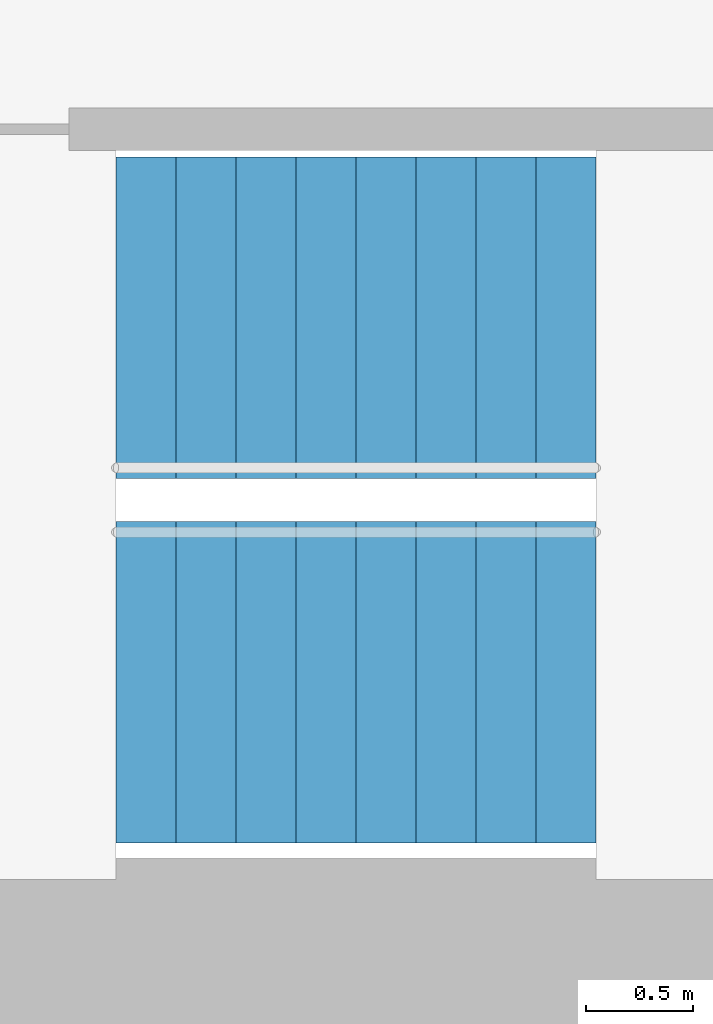
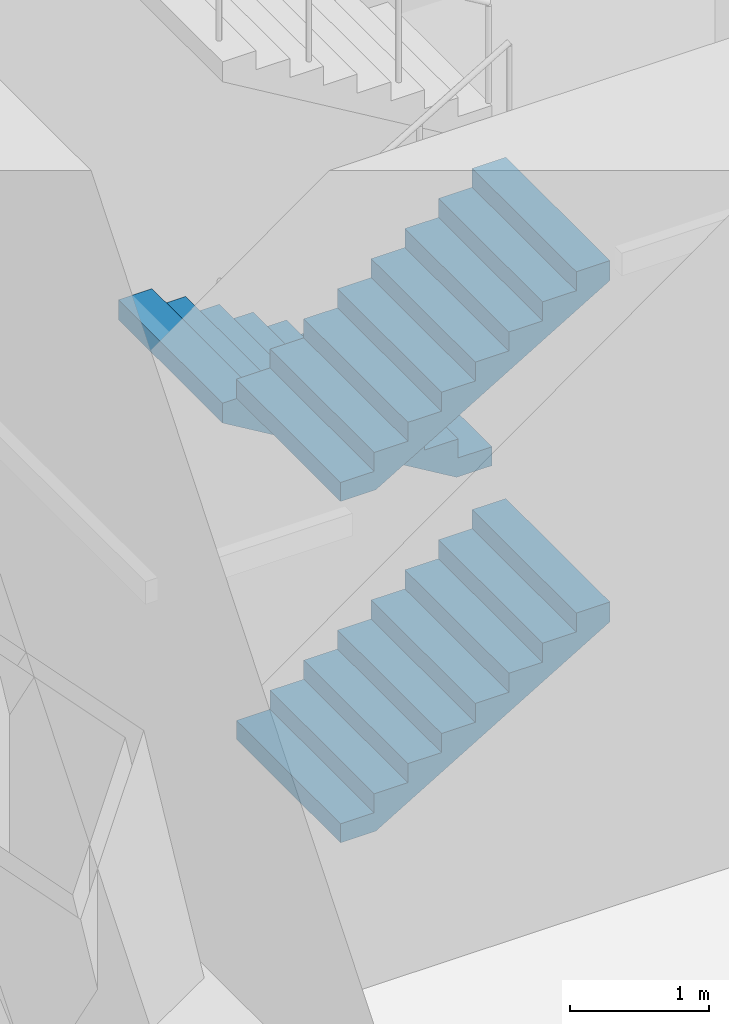
# One storey, part 16 of 19: 3 stair flights, 1 element without a shape of its own.
"""IFC4 building model written with IfcOpenShell, lengths in metres."""

from ifc_helpers import new_model, si_unit, direction, frame, origin, place, context, subcontext, project, spatial, triangles, material, type_object, element, aggregate, save


model = new_model("IFC4")

# Units and contexts
model_context = context("Model", 3, precision=1e-05, world=origin(), true_north=direction((0.0, 1.0)))
body_context = subcontext(model_context, "Body", "Model", "MODEL_VIEW")
ifc_project = project(units=[si_unit("LENGTHUNIT", "METRE"), si_unit("AREAUNIT", "SQUARE_METRE"), si_unit("VOLUMEUNIT", "CUBIC_METRE"), si_unit("PLANEANGLEUNIT", "RADIAN"), si_unit("MASSUNIT", "GRAM", prefix="KILO")], contexts=[model_context])

# Site, building, storey
site_placement = place(None, origin())
site = spatial("IfcSite", under=ifc_project, at=site_placement, CompositionType="ELEMENT")
building_placement = place(site_placement, origin())
building = spatial("IfcBuilding", under=site, at=building_placement, Name="Lantaw Convention Tower", CompositionType="ELEMENT")
storey_placement = place(building_placement, frame((0.0, 0.0, 193.0)))
storey = spatial("IfcBuildingStorey", under=building, at=storey_placement, Name="L45", CompositionType="ELEMENT", Elevation=193.0)

# Stair, stair flights
ifc_material = material(Name="Concrete C35/45", Category="concrete")
stair_type = type_object("IfcStairType", Name="Exit stair 1500 riser 166.67 in 4 flights", PredefinedType="HALF_TURN_STAIR", material=ifc_material)
stair_placement = place(storey_placement, origin())
stair = element("IfcStair", 1, at=stair_placement, inside=storey, type_object=stair_type, Name="Exit stair S1 L45", PredefinedType="HALF_TURN_STAIR")
stair_flight_type = type_object("IfcStairFlightType", Name="Stair flight 1500 riser 166.67", PredefinedType="STRAIGHT", material=ifc_material)
stair_flight_1_placement = place(storey_placement, frame((-10.580078125, -5.97998046875, 0.0), z_axis=(0.0, 0.0, 1.0), x_axis=(1.0, 0.0, 0.0)))
stair_flight_1 = element("IfcStairFlight", 2, at=stair_flight_1_placement, type_object=stair_flight_type, Name="S1 flight 1", NumberOfRisers=9, NumberOfTreads=8, PredefinedType="STRAIGHT", RiserHeight=0.166666667, TreadLength=0.28, context=body_context, shape_type="Tessellation", body=[
    triangles([(0.0, 0.75, 0.0), (0.0, 0.75, 0.166666667), (0.28, 0.75, 0.0), (0.28, 0.75, 0.166666667), (0.28, 0.75, 0.333333334), (0.2930734580690677, 0.75, 0.0), (0.2930734580690677, 0.75, 0.333333334), (0.56, 0.75, 0.1588848467052294), (0.56, 0.75, 0.333333334), (0.56, 0.75, 0.500000001), (0.8400000000000001, 0.75, 0.32555151370522933), (0.8400000000000001, 0.75, 0.500000001), (0.8400000000000001, 0.75, 0.666666668), (1.12, 0.75, 0.4922181807052293), (1.12, 0.75, 0.666666668), (1.12, 0.75, 0.833333335), (1.4000000000000001, 0.75, 0.6588848477052293), (1.4000000000000001, 0.75, 0.833333335), (1.4000000000000001, 0.75, 1.000000002), (1.6800000000000002, 0.75, 0.8255515147052293), (1.6800000000000002, 0.75, 1.000000002), (1.6800000000000002, 0.75, 1.166666669), (1.9600000000000002, 0.75, 0.9922181817052292), (1.9600000000000002, 0.75, 1.166666669), (1.9600000000000002, 0.75, 1.333333336), (2.24, 0.75, 1.1588848487052292), (2.24, 0.75, 1.333333336), (0.0, -0.75, 0.0), (0.0, -0.75, 0.166666667), (0.28, -0.75, 0.0), (0.28, -0.75, 0.166666667), (0.28, -0.75, 0.333333334), (0.2930734580690677, -0.75, 0.0), (0.2930734580690677, -0.75, 0.333333334), (0.56, -0.75, 0.1588848467052294), (0.56, -0.75, 0.333333334), (0.56, -0.75, 0.500000001), (0.8400000000000001, -0.75, 0.32555151370522933), (0.8400000000000001, -0.75, 0.500000001), (0.8400000000000001, -0.75, 0.666666668), (1.12, -0.75, 0.4922181807052293), (1.12, -0.75, 0.666666668), (1.12, -0.75, 0.833333335), (1.4000000000000001, -0.75, 0.6588848477052293), (1.4000000000000001, -0.75, 0.833333335), (1.4000000000000001, -0.75, 1.000000002), (1.6800000000000002, -0.75, 0.8255515147052293), (1.6800000000000002, -0.75, 1.000000002), (1.6800000000000002, -0.75, 1.166666669), (1.9600000000000002, -0.75, 0.9922181817052292), (1.9600000000000002, -0.75, 1.166666669), (1.9600000000000002, -0.75, 1.333333336), (2.24, -0.75, 1.1588848487052292), (2.24, -0.75, 1.333333336), (0.0, 0.15000000000000002, 0.166666667), (0.0, 0.15000000000000002, 0.0), (0.0, 0.0, 0.166666667), (0.0, 0.0, 0.0), (0.0, -0.15000000000000002, 0.166666667), (0.0, -0.15000000000000002, 0.0), (0.28, 0.15000000000000002, 0.333333334), (0.28, 0.15000000000000002, 0.166666667), (0.28, 0.0, 0.333333334), (0.28, 0.0, 0.166666667), (0.28, -0.15000000000000002, 0.333333334), (0.28, -0.15000000000000002, 0.166666667), (0.56, 0.15000000000000002, 0.500000001), (0.56, 0.15000000000000002, 0.333333334), (0.56, 0.0, 0.500000001), (0.56, 0.0, 0.333333334), (0.56, -0.15000000000000002, 0.500000001), (0.56, -0.15000000000000002, 0.333333334), (0.8400000000000001, 0.15000000000000002, 0.666666668), (0.8400000000000001, 0.15000000000000002, 0.500000001), (0.8400000000000001, 0.0, 0.666666668), (0.8400000000000001, 0.0, 0.500000001), (0.8400000000000001, -0.15000000000000002, 0.666666668), (0.8400000000000001, -0.15000000000000002, 0.500000001), (1.12, 0.15000000000000002, 0.833333335), (1.12, 0.15000000000000002, 0.666666668), (1.12, 0.0, 0.833333335), (1.12, 0.0, 0.666666668), (1.12, -0.15000000000000002, 0.833333335), (1.12, -0.15000000000000002, 0.666666668), (1.4000000000000001, 0.15000000000000002, 1.000000002), (1.4000000000000001, 0.15000000000000002, 0.833333335), (1.4000000000000001, 0.0, 1.000000002), (1.4000000000000001, 0.0, 0.833333335), (1.4000000000000001, -0.15000000000000002, 1.000000002), (1.4000000000000001, -0.15000000000000002, 0.833333335), (1.6800000000000002, 0.15000000000000002, 1.166666669), (1.6800000000000002, 0.15000000000000002, 1.000000002), (1.6800000000000002, 0.0, 1.166666669), (1.6800000000000002, 0.0, 1.000000002), (1.6800000000000002, -0.15000000000000002, 1.166666669), (1.6800000000000002, -0.15000000000000002, 1.000000002), (1.9600000000000002, 0.15000000000000002, 1.333333336), (1.9600000000000002, 0.15000000000000002, 1.166666669), (1.9600000000000002, 0.0, 1.333333336), (1.9600000000000002, 0.0, 1.166666669), (1.9600000000000002, -0.15000000000000002, 1.333333336), (1.9600000000000002, -0.15000000000000002, 1.166666669), (0.2930734580690677, 0.15000000000000002, 0.333333334), (0.2930734580690677, 0.0, 0.333333334), (0.2930734580690677, -0.15000000000000002, 0.333333334), (2.24, 0.15000000000000002, 1.333333336), (2.24, 0.0, 1.333333336), (2.24, -0.15000000000000002, 1.333333336), (2.24, 0.15000000000000002, 1.1588848487052292), (2.24, 0.0, 1.1588848487052292), (2.24, -0.15000000000000002, 1.1588848487052292), (1.9600000000000002, 0.15000000000000002, 0.9922181817052292), (1.9600000000000002, 0.0, 0.9922181817052292), (1.9600000000000002, -0.15000000000000002, 0.9922181817052292), (1.6800000000000002, 0.15000000000000002, 0.8255515147052293), (1.6800000000000002, 0.0, 0.8255515147052293), (1.6800000000000002, -0.15000000000000002, 0.8255515147052293), (1.4000000000000001, 0.15000000000000002, 0.6588848477052293), (1.4000000000000001, 0.0, 0.6588848477052293), (1.4000000000000001, -0.15000000000000002, 0.6588848477052293), (1.12, 0.15000000000000002, 0.4922181807052293), (1.12, 0.0, 0.4922181807052293), (1.12, -0.15000000000000002, 0.4922181807052293), (0.8400000000000001, 0.15000000000000002, 0.32555151370522933), (0.8400000000000001, 0.0, 0.32555151370522933), (0.8400000000000001, -0.15000000000000002, 0.32555151370522933), (0.56, 0.15000000000000002, 0.1588848467052294), (0.56, 0.0, 0.1588848467052294), (0.56, -0.15000000000000002, 0.1588848467052294), (0.2930734580690677, 0.15000000000000002, 0.0), (0.2930734580690677, 0.0, 0.0), (0.2930734580690677, -0.15000000000000002, 0.0), (0.28, 0.15000000000000002, 0.0), (0.28, 0.0, 0.0), (0.28, -0.15000000000000002, 0.0)], [[1, 4, 3], [1, 2, 4], [3, 4, 6], [4, 7, 6], [4, 5, 7], [6, 9, 8], [6, 7, 9], [8, 9, 11], [9, 12, 11], [9, 10, 12], [11, 12, 14], [12, 15, 14], [12, 13, 15], [14, 15, 17], [15, 18, 17], [15, 16, 18], [17, 18, 20], [18, 21, 20], [18, 19, 21], [20, 21, 23], [21, 24, 23], [21, 22, 24], [23, 24, 26], [24, 27, 26], [24, 25, 27], [28, 30, 31], [28, 31, 29], [30, 33, 31], [31, 33, 34], [31, 34, 32], [33, 35, 36], [33, 36, 34], [35, 38, 36], [36, 38, 39], [36, 39, 37], [38, 41, 39], [39, 41, 42], [39, 42, 40], [41, 44, 42], [42, 44, 45], [42, 45, 43], [44, 47, 45], [45, 47, 48], [45, 48, 46], [47, 50, 48], [48, 50, 51], [48, 51, 49], [50, 53, 51], [51, 53, 54], [51, 54, 52], [1, 55, 2], [1, 56, 55], [56, 57, 55], [56, 58, 57], [58, 59, 57], [58, 60, 59], [60, 29, 59], [60, 28, 29], [4, 61, 5], [4, 62, 61], [62, 63, 61], [62, 64, 63], [64, 65, 63], [64, 66, 65], [66, 32, 65], [66, 31, 32], [9, 67, 10], [9, 68, 67], [68, 69, 67], [68, 70, 69], [70, 71, 69], [70, 72, 71], [72, 37, 71], [72, 36, 37], [12, 73, 13], [12, 74, 73], [74, 75, 73], [74, 76, 75], [76, 77, 75], [76, 78, 77], [78, 40, 77], [78, 39, 40], [15, 79, 16], [15, 80, 79], [80, 81, 79], [80, 82, 81], [82, 83, 81], [82, 84, 83], [84, 43, 83], [84, 42, 43], [18, 85, 19], [18, 86, 85], [86, 87, 85], [86, 88, 87], [88, 89, 87], [88, 90, 89], [90, 46, 89], [90, 45, 46], [21, 91, 22], [21, 92, 91], [92, 93, 91], [92, 94, 93], [94, 95, 93], [94, 96, 95], [96, 49, 95], [96, 48, 49], [24, 97, 25], [24, 98, 97], [98, 99, 97], [98, 100, 99], [100, 101, 99], [100, 102, 101], [102, 52, 101], [102, 51, 52], [2, 62, 4], [2, 55, 62], [55, 64, 62], [55, 57, 64], [57, 66, 64], [57, 59, 66], [59, 31, 66], [59, 29, 31], [5, 103, 7], [5, 61, 103], [61, 104, 103], [61, 63, 104], [63, 105, 104], [63, 65, 105], [65, 34, 105], [65, 32, 34], [7, 68, 9], [7, 103, 68], [103, 70, 68], [103, 104, 70], [104, 72, 70], [104, 105, 72], [105, 36, 72], [105, 34, 36], [10, 74, 12], [10, 67, 74], [67, 76, 74], [67, 69, 76], [69, 78, 76], [69, 71, 78], [71, 39, 78], [71, 37, 39], [13, 80, 15], [13, 73, 80], [73, 82, 80], [73, 75, 82], [75, 84, 82], [75, 77, 84], [77, 42, 84], [77, 40, 42], [16, 86, 18], [16, 79, 86], [79, 88, 86], [79, 81, 88], [81, 90, 88], [81, 83, 90], [83, 45, 90], [83, 43, 45], [19, 92, 21], [19, 85, 92], [85, 94, 92], [85, 87, 94], [87, 96, 94], [87, 89, 96], [89, 48, 96], [89, 46, 48], [22, 98, 24], [22, 91, 98], [91, 100, 98], [91, 93, 100], [93, 102, 100], [93, 95, 102], [95, 51, 102], [95, 49, 51], [25, 106, 27], [25, 97, 106], [97, 107, 106], [97, 99, 107], [99, 108, 107], [99, 101, 108], [101, 54, 108], [101, 52, 54], [27, 109, 26], [27, 106, 109], [106, 110, 109], [106, 107, 110], [107, 111, 110], [107, 108, 111], [108, 53, 111], [108, 54, 53], [26, 112, 23], [26, 109, 112], [109, 113, 112], [109, 110, 113], [110, 114, 113], [110, 111, 114], [111, 50, 114], [111, 53, 50], [23, 115, 20], [23, 112, 115], [112, 116, 115], [112, 113, 116], [113, 117, 116], [113, 114, 117], [114, 47, 117], [114, 50, 47], [20, 118, 17], [20, 115, 118], [115, 119, 118], [115, 116, 119], [116, 120, 119], [116, 117, 120], [117, 44, 120], [117, 47, 44], [17, 121, 14], [17, 118, 121], [118, 122, 121], [118, 119, 122], [119, 123, 122], [119, 120, 123], [120, 41, 123], [120, 44, 41], [14, 124, 11], [14, 121, 124], [121, 125, 124], [121, 122, 125], [122, 126, 125], [122, 123, 126], [123, 38, 126], [123, 41, 38], [11, 127, 8], [11, 124, 127], [124, 128, 127], [124, 125, 128], [125, 129, 128], [125, 126, 129], [126, 35, 129], [126, 38, 35], [8, 130, 6], [8, 127, 130], [127, 131, 130], [127, 128, 131], [128, 132, 131], [128, 129, 132], [129, 33, 132], [129, 35, 33], [6, 133, 3], [6, 130, 133], [130, 134, 133], [130, 131, 134], [131, 135, 134], [131, 132, 135], [132, 30, 135], [132, 33, 30], [3, 56, 1], [3, 133, 56], [133, 58, 56], [133, 134, 58], [134, 60, 58], [134, 135, 60], [135, 28, 60], [135, 30, 28]], closed=True),
])
stair_flight_2_placement = place(storey_placement, frame((-8.340087890625, -4.280029296875, 1.5), z_axis=(0.0, 0.0, 1.0), x_axis=(-1.0, 0.0, 0.0)))
stair_flight_2 = element("IfcStairFlight", 3, at=stair_flight_2_placement, type_object=stair_flight_type, Name="S1 flight 2", NumberOfRisers=9, NumberOfTreads=8, PredefinedType="STRAIGHT", RiserHeight=0.166666667, TreadLength=0.28, context=body_context, shape_type="Tessellation", body=[
    triangles([(0.0, 0.75, 0.0), (0.0, 0.75, 0.166666667), (0.28, 0.75, 0.0), (0.28, 0.75, 0.166666667), (0.28, 0.75, 0.333333334), (0.2930734580690677, 0.75, 0.0), (0.2930734580690677, 0.75, 0.333333334), (0.56, 0.75, 0.1588848467052294), (0.56, 0.75, 0.333333334), (0.56, 0.75, 0.500000001), (0.8400000000000001, 0.75, 0.32555151370522933), (0.8400000000000001, 0.75, 0.500000001), (0.8400000000000001, 0.75, 0.666666668), (1.12, 0.75, 0.4922181807052293), (1.12, 0.75, 0.666666668), (1.12, 0.75, 0.833333335), (1.4000000000000001, 0.75, 0.6588848477052293), (1.4000000000000001, 0.75, 0.833333335), (1.4000000000000001, 0.75, 1.000000002), (1.6800000000000002, 0.75, 0.8255515147052293), (1.6800000000000002, 0.75, 1.000000002), (1.6800000000000002, 0.75, 1.166666669), (1.9600000000000002, 0.75, 0.9922181817052292), (1.9600000000000002, 0.75, 1.166666669), (1.9600000000000002, 0.75, 1.333333336), (2.24, 0.75, 1.1588848487052292), (2.24, 0.75, 1.333333336), (0.0, -0.75, 0.0), (0.0, -0.75, 0.166666667), (0.28, -0.75, 0.0), (0.28, -0.75, 0.166666667), (0.28, -0.75, 0.333333334), (0.2930734580690677, -0.75, 0.0), (0.2930734580690677, -0.75, 0.333333334), (0.56, -0.75, 0.1588848467052294), (0.56, -0.75, 0.333333334), (0.56, -0.75, 0.500000001), (0.8400000000000001, -0.75, 0.32555151370522933), (0.8400000000000001, -0.75, 0.500000001), (0.8400000000000001, -0.75, 0.666666668), (1.12, -0.75, 0.4922181807052293), (1.12, -0.75, 0.666666668), (1.12, -0.75, 0.833333335), (1.4000000000000001, -0.75, 0.6588848477052293), (1.4000000000000001, -0.75, 0.833333335), (1.4000000000000001, -0.75, 1.000000002), (1.6800000000000002, -0.75, 0.8255515147052293), (1.6800000000000002, -0.75, 1.000000002), (1.6800000000000002, -0.75, 1.166666669), (1.9600000000000002, -0.75, 0.9922181817052292), (1.9600000000000002, -0.75, 1.166666669), (1.9600000000000002, -0.75, 1.333333336), (2.24, -0.75, 1.1588848487052292), (2.24, -0.75, 1.333333336), (0.0, 0.15000000000000002, 0.166666667), (0.0, 0.15000000000000002, 0.0), (0.0, 0.0, 0.166666667), (0.0, 0.0, 0.0), (0.0, -0.15000000000000002, 0.166666667), (0.0, -0.15000000000000002, 0.0), (0.28, 0.15000000000000002, 0.333333334), (0.28, 0.15000000000000002, 0.166666667), (0.28, 0.0, 0.333333334), (0.28, 0.0, 0.166666667), (0.28, -0.15000000000000002, 0.333333334), (0.28, -0.15000000000000002, 0.166666667), (0.56, 0.15000000000000002, 0.500000001), (0.56, 0.15000000000000002, 0.333333334), (0.56, 0.0, 0.500000001), (0.56, 0.0, 0.333333334), (0.56, -0.15000000000000002, 0.500000001), (0.56, -0.15000000000000002, 0.333333334), (0.8400000000000001, 0.15000000000000002, 0.666666668), (0.8400000000000001, 0.15000000000000002, 0.500000001), (0.8400000000000001, 0.0, 0.666666668), (0.8400000000000001, 0.0, 0.500000001), (0.8400000000000001, -0.15000000000000002, 0.666666668), (0.8400000000000001, -0.15000000000000002, 0.500000001), (1.12, 0.15000000000000002, 0.833333335), (1.12, 0.15000000000000002, 0.666666668), (1.12, 0.0, 0.833333335), (1.12, 0.0, 0.666666668), (1.12, -0.15000000000000002, 0.833333335), (1.12, -0.15000000000000002, 0.666666668), (1.4000000000000001, 0.15000000000000002, 1.000000002), (1.4000000000000001, 0.15000000000000002, 0.833333335), (1.4000000000000001, 0.0, 1.000000002), (1.4000000000000001, 0.0, 0.833333335), (1.4000000000000001, -0.15000000000000002, 1.000000002), (1.4000000000000001, -0.15000000000000002, 0.833333335), (1.6800000000000002, 0.15000000000000002, 1.166666669), (1.6800000000000002, 0.15000000000000002, 1.000000002), (1.6800000000000002, 0.0, 1.166666669), (1.6800000000000002, 0.0, 1.000000002), (1.6800000000000002, -0.15000000000000002, 1.166666669), (1.6800000000000002, -0.15000000000000002, 1.000000002), (1.9600000000000002, 0.15000000000000002, 1.333333336), (1.9600000000000002, 0.15000000000000002, 1.166666669), (1.9600000000000002, 0.0, 1.333333336), (1.9600000000000002, 0.0, 1.166666669), (1.9600000000000002, -0.15000000000000002, 1.333333336), (1.9600000000000002, -0.15000000000000002, 1.166666669), (0.2930734580690677, 0.15000000000000002, 0.333333334), (0.2930734580690677, 0.0, 0.333333334), (0.2930734580690677, -0.15000000000000002, 0.333333334), (2.24, 0.15000000000000002, 1.333333336), (2.24, 0.0, 1.333333336), (2.24, -0.15000000000000002, 1.333333336), (2.24, 0.15000000000000002, 1.1588848487052292), (2.24, 0.0, 1.1588848487052292), (2.24, -0.15000000000000002, 1.1588848487052292), (1.9600000000000002, 0.15000000000000002, 0.9922181817052292), (1.9600000000000002, 0.0, 0.9922181817052292), (1.9600000000000002, -0.15000000000000002, 0.9922181817052292), (1.6800000000000002, 0.15000000000000002, 0.8255515147052293), (1.6800000000000002, 0.0, 0.8255515147052293), (1.6800000000000002, -0.15000000000000002, 0.8255515147052293), (1.4000000000000001, 0.15000000000000002, 0.6588848477052293), (1.4000000000000001, 0.0, 0.6588848477052293), (1.4000000000000001, -0.15000000000000002, 0.6588848477052293), (1.12, 0.15000000000000002, 0.4922181807052293), (1.12, 0.0, 0.4922181807052293), (1.12, -0.15000000000000002, 0.4922181807052293), (0.8400000000000001, 0.15000000000000002, 0.32555151370522933), (0.8400000000000001, 0.0, 0.32555151370522933), (0.8400000000000001, -0.15000000000000002, 0.32555151370522933), (0.56, 0.15000000000000002, 0.1588848467052294), (0.56, 0.0, 0.1588848467052294), (0.56, -0.15000000000000002, 0.1588848467052294), (0.2930734580690677, 0.15000000000000002, 0.0), (0.2930734580690677, 0.0, 0.0), (0.2930734580690677, -0.15000000000000002, 0.0), (0.28, 0.15000000000000002, 0.0), (0.28, 0.0, 0.0), (0.28, -0.15000000000000002, 0.0)], [[1, 4, 3], [1, 2, 4], [3, 4, 6], [4, 7, 6], [4, 5, 7], [6, 9, 8], [6, 7, 9], [8, 9, 11], [9, 12, 11], [9, 10, 12], [11, 12, 14], [12, 15, 14], [12, 13, 15], [14, 15, 17], [15, 18, 17], [15, 16, 18], [17, 18, 20], [18, 21, 20], [18, 19, 21], [20, 21, 23], [21, 24, 23], [21, 22, 24], [23, 24, 26], [24, 27, 26], [24, 25, 27], [28, 30, 31], [28, 31, 29], [30, 33, 31], [31, 33, 34], [31, 34, 32], [33, 35, 36], [33, 36, 34], [35, 38, 36], [36, 38, 39], [36, 39, 37], [38, 41, 39], [39, 41, 42], [39, 42, 40], [41, 44, 42], [42, 44, 45], [42, 45, 43], [44, 47, 45], [45, 47, 48], [45, 48, 46], [47, 50, 48], [48, 50, 51], [48, 51, 49], [50, 53, 51], [51, 53, 54], [51, 54, 52], [1, 55, 2], [1, 56, 55], [56, 57, 55], [56, 58, 57], [58, 59, 57], [58, 60, 59], [60, 29, 59], [60, 28, 29], [4, 61, 5], [4, 62, 61], [62, 63, 61], [62, 64, 63], [64, 65, 63], [64, 66, 65], [66, 32, 65], [66, 31, 32], [9, 67, 10], [9, 68, 67], [68, 69, 67], [68, 70, 69], [70, 71, 69], [70, 72, 71], [72, 37, 71], [72, 36, 37], [12, 73, 13], [12, 74, 73], [74, 75, 73], [74, 76, 75], [76, 77, 75], [76, 78, 77], [78, 40, 77], [78, 39, 40], [15, 79, 16], [15, 80, 79], [80, 81, 79], [80, 82, 81], [82, 83, 81], [82, 84, 83], [84, 43, 83], [84, 42, 43], [18, 85, 19], [18, 86, 85], [86, 87, 85], [86, 88, 87], [88, 89, 87], [88, 90, 89], [90, 46, 89], [90, 45, 46], [21, 91, 22], [21, 92, 91], [92, 93, 91], [92, 94, 93], [94, 95, 93], [94, 96, 95], [96, 49, 95], [96, 48, 49], [24, 97, 25], [24, 98, 97], [98, 99, 97], [98, 100, 99], [100, 101, 99], [100, 102, 101], [102, 52, 101], [102, 51, 52], [2, 62, 4], [2, 55, 62], [55, 64, 62], [55, 57, 64], [57, 66, 64], [57, 59, 66], [59, 31, 66], [59, 29, 31], [5, 103, 7], [5, 61, 103], [61, 104, 103], [61, 63, 104], [63, 105, 104], [63, 65, 105], [65, 34, 105], [65, 32, 34], [7, 68, 9], [7, 103, 68], [103, 70, 68], [103, 104, 70], [104, 72, 70], [104, 105, 72], [105, 36, 72], [105, 34, 36], [10, 74, 12], [10, 67, 74], [67, 76, 74], [67, 69, 76], [69, 78, 76], [69, 71, 78], [71, 39, 78], [71, 37, 39], [13, 80, 15], [13, 73, 80], [73, 82, 80], [73, 75, 82], [75, 84, 82], [75, 77, 84], [77, 42, 84], [77, 40, 42], [16, 86, 18], [16, 79, 86], [79, 88, 86], [79, 81, 88], [81, 90, 88], [81, 83, 90], [83, 45, 90], [83, 43, 45], [19, 92, 21], [19, 85, 92], [85, 94, 92], [85, 87, 94], [87, 96, 94], [87, 89, 96], [89, 48, 96], [89, 46, 48], [22, 98, 24], [22, 91, 98], [91, 100, 98], [91, 93, 100], [93, 102, 100], [93, 95, 102], [95, 51, 102], [95, 49, 51], [25, 106, 27], [25, 97, 106], [97, 107, 106], [97, 99, 107], [99, 108, 107], [99, 101, 108], [101, 54, 108], [101, 52, 54], [27, 109, 26], [27, 106, 109], [106, 110, 109], [106, 107, 110], [107, 111, 110], [107, 108, 111], [108, 53, 111], [108, 54, 53], [26, 112, 23], [26, 109, 112], [109, 113, 112], [109, 110, 113], [110, 114, 113], [110, 111, 114], [111, 50, 114], [111, 53, 50], [23, 115, 20], [23, 112, 115], [112, 116, 115], [112, 113, 116], [113, 117, 116], [113, 114, 117], [114, 47, 117], [114, 50, 47], [20, 118, 17], [20, 115, 118], [115, 119, 118], [115, 116, 119], [116, 120, 119], [116, 117, 120], [117, 44, 120], [117, 47, 44], [17, 121, 14], [17, 118, 121], [118, 122, 121], [118, 119, 122], [119, 123, 122], [119, 120, 123], [120, 41, 123], [120, 44, 41], [14, 124, 11], [14, 121, 124], [121, 125, 124], [121, 122, 125], [122, 126, 125], [122, 123, 126], [123, 38, 126], [123, 41, 38], [11, 127, 8], [11, 124, 127], [124, 128, 127], [124, 125, 128], [125, 129, 128], [125, 126, 129], [126, 35, 129], [126, 38, 35], [8, 130, 6], [8, 127, 130], [127, 131, 130], [127, 128, 131], [128, 132, 131], [128, 129, 132], [129, 33, 132], [129, 35, 33], [6, 133, 3], [6, 130, 133], [130, 134, 133], [130, 131, 134], [131, 135, 134], [131, 132, 135], [132, 30, 135], [132, 33, 30], [3, 56, 1], [3, 133, 56], [133, 58, 56], [133, 134, 58], [134, 60, 58], [134, 135, 60], [135, 28, 60], [135, 30, 28]], closed=True),
])
stair_flight_3_placement = place(storey_placement, frame((-10.580078125, -5.97998046875, 3.0), z_axis=(0.0, 0.0, 1.0), x_axis=(1.0, 0.0, 0.0)))
stair_flight_3 = element("IfcStairFlight", 4, at=stair_flight_3_placement, type_object=stair_flight_type, Name="S1 flight 3", NumberOfRisers=9, NumberOfTreads=8, PredefinedType="STRAIGHT", RiserHeight=0.166666667, TreadLength=0.28, context=body_context, shape_type="Tessellation", body=[
    triangles([(0.0, 0.75, 0.0), (0.0, 0.75, 0.166666667), (0.28, 0.75, 0.0), (0.28, 0.75, 0.166666667), (0.28, 0.75, 0.333333334), (0.2930734580690677, 0.75, 0.0), (0.2930734580690677, 0.75, 0.333333334), (0.56, 0.75, 0.1588848467052294), (0.56, 0.75, 0.333333334), (0.56, 0.75, 0.500000001), (0.8400000000000001, 0.75, 0.32555151370522933), (0.8400000000000001, 0.75, 0.500000001), (0.8400000000000001, 0.75, 0.666666668), (1.12, 0.75, 0.4922181807052293), (1.12, 0.75, 0.666666668), (1.12, 0.75, 0.833333335), (1.4000000000000001, 0.75, 0.6588848477052293), (1.4000000000000001, 0.75, 0.833333335), (1.4000000000000001, 0.75, 1.000000002), (1.6800000000000002, 0.75, 0.8255515147052293), (1.6800000000000002, 0.75, 1.000000002), (1.6800000000000002, 0.75, 1.166666669), (1.9600000000000002, 0.75, 0.9922181817052292), (1.9600000000000002, 0.75, 1.166666669), (1.9600000000000002, 0.75, 1.333333336), (2.24, 0.75, 1.1588848487052292), (2.24, 0.75, 1.333333336), (0.0, -0.75, 0.0), (0.0, -0.75, 0.166666667), (0.28, -0.75, 0.0), (0.28, -0.75, 0.166666667), (0.28, -0.75, 0.333333334), (0.2930734580690677, -0.75, 0.0), (0.2930734580690677, -0.75, 0.333333334), (0.56, -0.75, 0.1588848467052294), (0.56, -0.75, 0.333333334), (0.56, -0.75, 0.500000001), (0.8400000000000001, -0.75, 0.32555151370522933), (0.8400000000000001, -0.75, 0.500000001), (0.8400000000000001, -0.75, 0.666666668), (1.12, -0.75, 0.4922181807052293), (1.12, -0.75, 0.666666668), (1.12, -0.75, 0.833333335), (1.4000000000000001, -0.75, 0.6588848477052293), (1.4000000000000001, -0.75, 0.833333335), (1.4000000000000001, -0.75, 1.000000002), (1.6800000000000002, -0.75, 0.8255515147052293), (1.6800000000000002, -0.75, 1.000000002), (1.6800000000000002, -0.75, 1.166666669), (1.9600000000000002, -0.75, 0.9922181817052292), (1.9600000000000002, -0.75, 1.166666669), (1.9600000000000002, -0.75, 1.333333336), (2.24, -0.75, 1.1588848487052292), (2.24, -0.75, 1.333333336), (0.0, 0.15000000000000002, 0.166666667), (0.0, 0.15000000000000002, 0.0), (0.0, 0.0, 0.166666667), (0.0, 0.0, 0.0), (0.0, -0.15000000000000002, 0.166666667), (0.0, -0.15000000000000002, 0.0), (0.28, 0.15000000000000002, 0.333333334), (0.28, 0.15000000000000002, 0.166666667), (0.28, 0.0, 0.333333334), (0.28, 0.0, 0.166666667), (0.28, -0.15000000000000002, 0.333333334), (0.28, -0.15000000000000002, 0.166666667), (0.56, 0.15000000000000002, 0.500000001), (0.56, 0.15000000000000002, 0.333333334), (0.56, 0.0, 0.500000001), (0.56, 0.0, 0.333333334), (0.56, -0.15000000000000002, 0.500000001), (0.56, -0.15000000000000002, 0.333333334), (0.8400000000000001, 0.15000000000000002, 0.666666668), (0.8400000000000001, 0.15000000000000002, 0.500000001), (0.8400000000000001, 0.0, 0.666666668), (0.8400000000000001, 0.0, 0.500000001), (0.8400000000000001, -0.15000000000000002, 0.666666668), (0.8400000000000001, -0.15000000000000002, 0.500000001), (1.12, 0.15000000000000002, 0.833333335), (1.12, 0.15000000000000002, 0.666666668), (1.12, 0.0, 0.833333335), (1.12, 0.0, 0.666666668), (1.12, -0.15000000000000002, 0.833333335), (1.12, -0.15000000000000002, 0.666666668), (1.4000000000000001, 0.15000000000000002, 1.000000002), (1.4000000000000001, 0.15000000000000002, 0.833333335), (1.4000000000000001, 0.0, 1.000000002), (1.4000000000000001, 0.0, 0.833333335), (1.4000000000000001, -0.15000000000000002, 1.000000002), (1.4000000000000001, -0.15000000000000002, 0.833333335), (1.6800000000000002, 0.15000000000000002, 1.166666669), (1.6800000000000002, 0.15000000000000002, 1.000000002), (1.6800000000000002, 0.0, 1.166666669), (1.6800000000000002, 0.0, 1.000000002), (1.6800000000000002, -0.15000000000000002, 1.166666669), (1.6800000000000002, -0.15000000000000002, 1.000000002), (1.9600000000000002, 0.15000000000000002, 1.333333336), (1.9600000000000002, 0.15000000000000002, 1.166666669), (1.9600000000000002, 0.0, 1.333333336), (1.9600000000000002, 0.0, 1.166666669), (1.9600000000000002, -0.15000000000000002, 1.333333336), (1.9600000000000002, -0.15000000000000002, 1.166666669), (0.2930734580690677, 0.15000000000000002, 0.333333334), (0.2930734580690677, 0.0, 0.333333334), (0.2930734580690677, -0.15000000000000002, 0.333333334), (2.24, 0.15000000000000002, 1.333333336), (2.24, 0.0, 1.333333336), (2.24, -0.15000000000000002, 1.333333336), (2.24, 0.15000000000000002, 1.1588848487052292), (2.24, 0.0, 1.1588848487052292), (2.24, -0.15000000000000002, 1.1588848487052292), (1.9600000000000002, 0.15000000000000002, 0.9922181817052292), (1.9600000000000002, 0.0, 0.9922181817052292), (1.9600000000000002, -0.15000000000000002, 0.9922181817052292), (1.6800000000000002, 0.15000000000000002, 0.8255515147052293), (1.6800000000000002, 0.0, 0.8255515147052293), (1.6800000000000002, -0.15000000000000002, 0.8255515147052293), (1.4000000000000001, 0.15000000000000002, 0.6588848477052293), (1.4000000000000001, 0.0, 0.6588848477052293), (1.4000000000000001, -0.15000000000000002, 0.6588848477052293), (1.12, 0.15000000000000002, 0.4922181807052293), (1.12, 0.0, 0.4922181807052293), (1.12, -0.15000000000000002, 0.4922181807052293), (0.8400000000000001, 0.15000000000000002, 0.32555151370522933), (0.8400000000000001, 0.0, 0.32555151370522933), (0.8400000000000001, -0.15000000000000002, 0.32555151370522933), (0.56, 0.15000000000000002, 0.1588848467052294), (0.56, 0.0, 0.1588848467052294), (0.56, -0.15000000000000002, 0.1588848467052294), (0.2930734580690677, 0.15000000000000002, 0.0), (0.2930734580690677, 0.0, 0.0), (0.2930734580690677, -0.15000000000000002, 0.0), (0.28, 0.15000000000000002, 0.0), (0.28, 0.0, 0.0), (0.28, -0.15000000000000002, 0.0)], [[1, 4, 3], [1, 2, 4], [3, 4, 6], [4, 7, 6], [4, 5, 7], [6, 9, 8], [6, 7, 9], [8, 9, 11], [9, 12, 11], [9, 10, 12], [11, 12, 14], [12, 15, 14], [12, 13, 15], [14, 15, 17], [15, 18, 17], [15, 16, 18], [17, 18, 20], [18, 21, 20], [18, 19, 21], [20, 21, 23], [21, 24, 23], [21, 22, 24], [23, 24, 26], [24, 27, 26], [24, 25, 27], [28, 30, 31], [28, 31, 29], [30, 33, 31], [31, 33, 34], [31, 34, 32], [33, 35, 36], [33, 36, 34], [35, 38, 36], [36, 38, 39], [36, 39, 37], [38, 41, 39], [39, 41, 42], [39, 42, 40], [41, 44, 42], [42, 44, 45], [42, 45, 43], [44, 47, 45], [45, 47, 48], [45, 48, 46], [47, 50, 48], [48, 50, 51], [48, 51, 49], [50, 53, 51], [51, 53, 54], [51, 54, 52], [1, 55, 2], [1, 56, 55], [56, 57, 55], [56, 58, 57], [58, 59, 57], [58, 60, 59], [60, 29, 59], [60, 28, 29], [4, 61, 5], [4, 62, 61], [62, 63, 61], [62, 64, 63], [64, 65, 63], [64, 66, 65], [66, 32, 65], [66, 31, 32], [9, 67, 10], [9, 68, 67], [68, 69, 67], [68, 70, 69], [70, 71, 69], [70, 72, 71], [72, 37, 71], [72, 36, 37], [12, 73, 13], [12, 74, 73], [74, 75, 73], [74, 76, 75], [76, 77, 75], [76, 78, 77], [78, 40, 77], [78, 39, 40], [15, 79, 16], [15, 80, 79], [80, 81, 79], [80, 82, 81], [82, 83, 81], [82, 84, 83], [84, 43, 83], [84, 42, 43], [18, 85, 19], [18, 86, 85], [86, 87, 85], [86, 88, 87], [88, 89, 87], [88, 90, 89], [90, 46, 89], [90, 45, 46], [21, 91, 22], [21, 92, 91], [92, 93, 91], [92, 94, 93], [94, 95, 93], [94, 96, 95], [96, 49, 95], [96, 48, 49], [24, 97, 25], [24, 98, 97], [98, 99, 97], [98, 100, 99], [100, 101, 99], [100, 102, 101], [102, 52, 101], [102, 51, 52], [2, 62, 4], [2, 55, 62], [55, 64, 62], [55, 57, 64], [57, 66, 64], [57, 59, 66], [59, 31, 66], [59, 29, 31], [5, 103, 7], [5, 61, 103], [61, 104, 103], [61, 63, 104], [63, 105, 104], [63, 65, 105], [65, 34, 105], [65, 32, 34], [7, 68, 9], [7, 103, 68], [103, 70, 68], [103, 104, 70], [104, 72, 70], [104, 105, 72], [105, 36, 72], [105, 34, 36], [10, 74, 12], [10, 67, 74], [67, 76, 74], [67, 69, 76], [69, 78, 76], [69, 71, 78], [71, 39, 78], [71, 37, 39], [13, 80, 15], [13, 73, 80], [73, 82, 80], [73, 75, 82], [75, 84, 82], [75, 77, 84], [77, 42, 84], [77, 40, 42], [16, 86, 18], [16, 79, 86], [79, 88, 86], [79, 81, 88], [81, 90, 88], [81, 83, 90], [83, 45, 90], [83, 43, 45], [19, 92, 21], [19, 85, 92], [85, 94, 92], [85, 87, 94], [87, 96, 94], [87, 89, 96], [89, 48, 96], [89, 46, 48], [22, 98, 24], [22, 91, 98], [91, 100, 98], [91, 93, 100], [93, 102, 100], [93, 95, 102], [95, 51, 102], [95, 49, 51], [25, 106, 27], [25, 97, 106], [97, 107, 106], [97, 99, 107], [99, 108, 107], [99, 101, 108], [101, 54, 108], [101, 52, 54], [27, 109, 26], [27, 106, 109], [106, 110, 109], [106, 107, 110], [107, 111, 110], [107, 108, 111], [108, 53, 111], [108, 54, 53], [26, 112, 23], [26, 109, 112], [109, 113, 112], [109, 110, 113], [110, 114, 113], [110, 111, 114], [111, 50, 114], [111, 53, 50], [23, 115, 20], [23, 112, 115], [112, 116, 115], [112, 113, 116], [113, 117, 116], [113, 114, 117], [114, 47, 117], [114, 50, 47], [20, 118, 17], [20, 115, 118], [115, 119, 118], [115, 116, 119], [116, 120, 119], [116, 117, 120], [117, 44, 120], [117, 47, 44], [17, 121, 14], [17, 118, 121], [118, 122, 121], [118, 119, 122], [119, 123, 122], [119, 120, 123], [120, 41, 123], [120, 44, 41], [14, 124, 11], [14, 121, 124], [121, 125, 124], [121, 122, 125], [122, 126, 125], [122, 123, 126], [123, 38, 126], [123, 41, 38], [11, 127, 8], [11, 124, 127], [124, 128, 127], [124, 125, 128], [125, 129, 128], [125, 126, 129], [126, 35, 129], [126, 38, 35], [8, 130, 6], [8, 127, 130], [127, 131, 130], [127, 128, 131], [128, 132, 131], [128, 129, 132], [129, 33, 132], [129, 35, 33], [6, 133, 3], [6, 130, 133], [130, 134, 133], [130, 131, 134], [131, 135, 134], [131, 132, 135], [132, 30, 135], [132, 33, 30], [3, 56, 1], [3, 133, 56], [133, 58, 56], [133, 134, 58], [134, 60, 58], [134, 135, 60], [135, 28, 60], [135, 30, 28]], closed=True),
])
aggregate(stair, [stair_flight_1, stair_flight_2, stair_flight_3])

save(model, "model.ifc")
